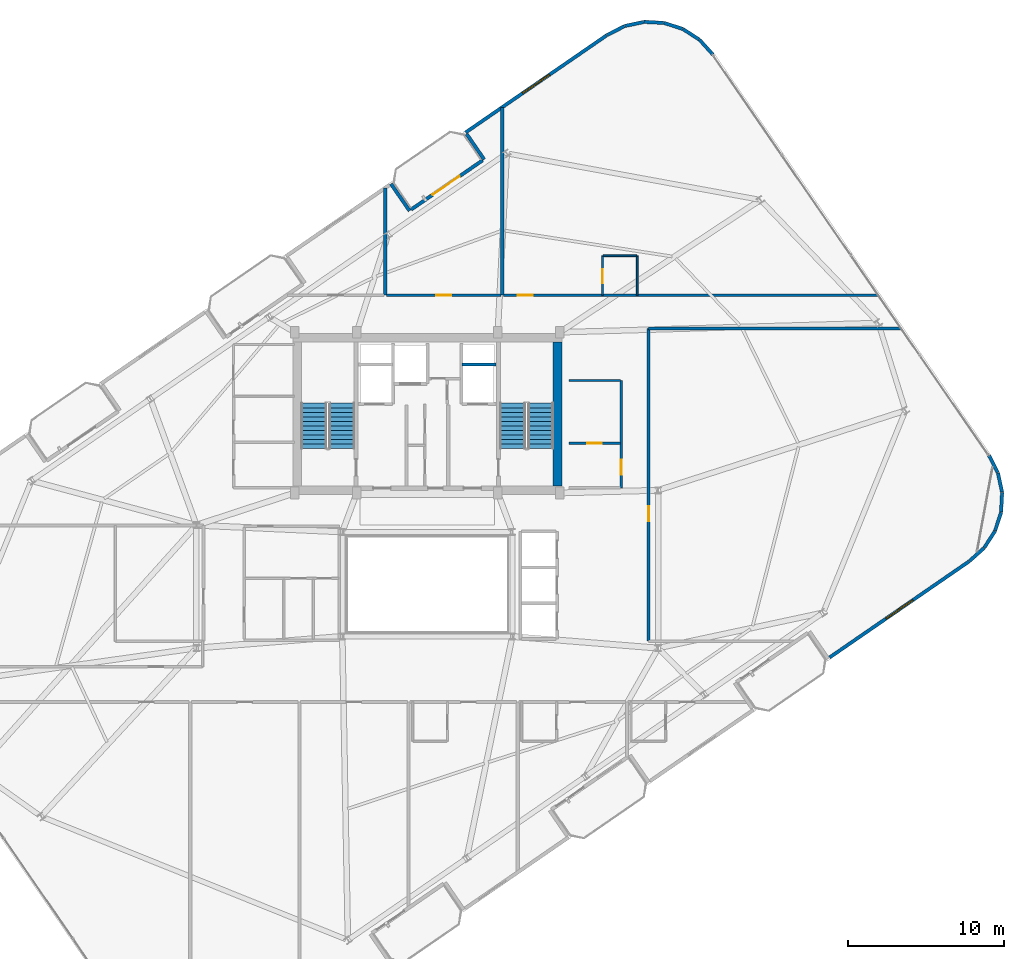
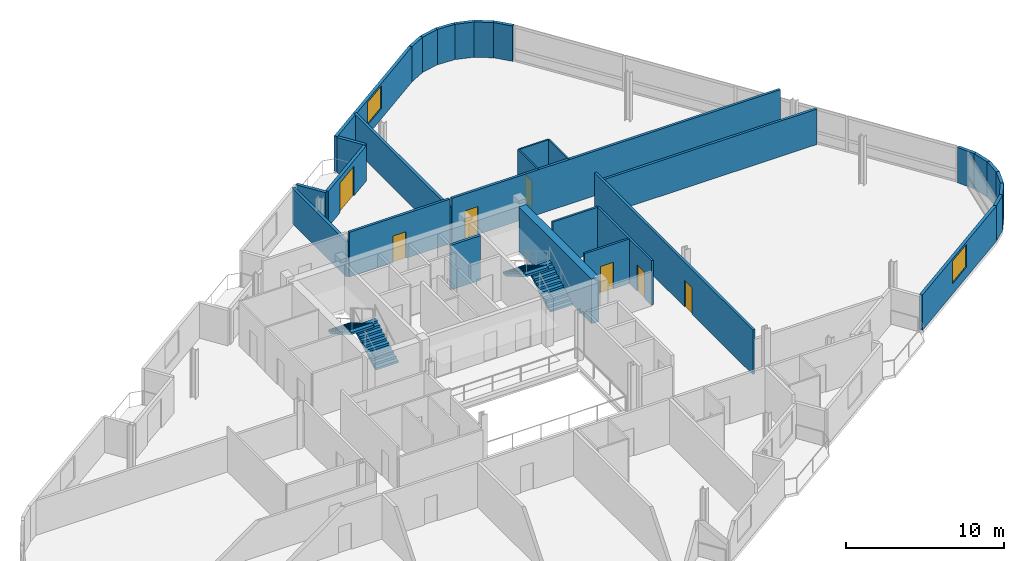
# One storey, part 19 of 23: 31 walls, 7 doors, 4 stair flights, 2 windows, 9 openings, 2 elements without a shape of their own.
"""IFC4 building model written with IfcOpenShell, lengths in metres."""

import ifcopenshell
import ifcopenshell.guid

model = None  # the IFC model being written
_history = None  # IfcOwnerHistory: only IFC2X3 demands one
_inside = {}  # id of a spatial element -> (the spatial element, [elements in it])
_under = {}  # id of a project, library or spatial element -> (it, [spatial elements below it])
_declared = {}  # id of a project -> (the project, [libraries it declares])
_typed = {}  # id of a type object -> (the type object, [elements of that type])
_made_of = {}  # id of a material, layer set ... -> (it, [elements and type objects made of it])


def new_model(schema):
    """Start an empty IFC model of exactly this schema.

    Asked for "IFC4X3", IfcOpenShell would pick the latest addendum, in which some entities
    have other attributes; the version numbers below select the first issue.
    IFC2X3 requires an IfcOwnerHistory on every rooted entity: one is made here for all.
    """
    global model, _history
    if schema == "IFC4X3":
        model = ifcopenshell.file(schema_version=(4, 3, 0, 0))
    else:
        model = ifcopenshell.file(schema=schema)
    _inside.clear()
    _under.clear()
    _declared.clear()
    _typed.clear()
    _made_of.clear()
    _history = None
    if model.schema == "IFC2X3":
        org = make("IfcOrganization", Name="unknown")
        user = make(
            "IfcPersonAndOrganization",
            ThePerson=make("IfcPerson", FamilyName="unknown"),
            TheOrganization=org,
        )
        app = make(
            "IfcApplication",
            ApplicationDeveloper=org,
            Version="unknown",
            ApplicationFullName="unknown",
            ApplicationIdentifier="unknown",
        )
        _history = make(
            "IfcOwnerHistory",
            OwningUser=user,
            OwningApplication=app,
            ChangeAction="ADDED",
            CreationDate=0,
        )
    return model


def make(cls, **values):
    """One entity of the class cls with the attributes given. An attribute that is None is left unset."""
    return model.create_entity(
        cls, **{name: value for name, value in values.items() if value is not None}
    )


def rooted(cls, **values):
    """An entity with a GlobalId (a new one), such as an element, a storey or a relation."""
    return make(cls, GlobalId=ifcopenshell.guid.new(), OwnerHistory=_history, **values)


def si_unit(unit_type, name, prefix=None):
    """IfcSIUnit, for example si_unit("LENGTHUNIT", "METRE", prefix="MILLI")."""
    return make("IfcSIUnit", UnitType=unit_type, Prefix=prefix, Name=name)


def assignment(units):
    """IfcUnitAssignment: the units of a project."""
    return None if units is None else make("IfcUnitAssignment", Units=units)


def point(xyz):
    """IfcCartesianPoint."""
    return None if xyz is None else make("IfcCartesianPoint", Coordinates=xyz)


def direction(xyz):
    """IfcDirection."""
    return None if xyz is None else make("IfcDirection", DirectionRatios=xyz)


def frame(location, z_axis=None, x_axis=None):
    """IfcAxis2Placement3D, a coordinate frame: its origin and axes. An axis left out is left unset."""
    return make(
        "IfcAxis2Placement3D",
        Location=point(location),
        Axis=direction(z_axis),
        RefDirection=direction(x_axis),
    )


def frame_2d(location, x_axis=None):
    """IfcAxis2Placement2D, a coordinate frame in the plane: its origin and x axis."""
    return make(
        "IfcAxis2Placement2D", Location=point(location), RefDirection=direction(x_axis)
    )


def origin():
    """The frame at (0, 0, 0) with its axes left unset."""
    return frame((0.0, 0.0, 0.0))


def place(relative_to, where):
    """IfcLocalPlacement: puts the frame where relative to a parent placement (None: the world)."""
    return make(
        "IfcLocalPlacement", PlacementRelTo=relative_to, RelativePlacement=where
    )


def context(
    kind, dimensions, precision=None, world=None, true_north=None, identifier=None
):
    """IfcGeometricRepresentationContext, for example the 3D "Model" context."""
    return make(
        "IfcGeometricRepresentationContext",
        ContextIdentifier=identifier,
        ContextType=kind,
        CoordinateSpaceDimension=dimensions,
        Precision=precision,
        WorldCoordinateSystem=world,
        TrueNorth=true_north,
    )


def subcontext(parent, identifier, kind, view, scale=None):
    """IfcGeometricRepresentationSubContext, for example "Body" below "Model"."""
    return make(
        "IfcGeometricRepresentationSubContext",
        ContextIdentifier=identifier,
        ContextType=kind,
        ParentContext=parent,
        TargetScale=scale,
        TargetView=view,
    )


def project(units=None, contexts=None):
    """IfcProject with its units and contexts."""
    return rooted(
        "IfcProject",
        Name="project",
        RepresentationContexts=contexts,
        UnitsInContext=assignment(units),
    )


def spatial(cls, under=None, at=None, **own):
    """A site, building, storey or space (cls), placed at a placement, below another one or the project."""
    s = rooted(cls, ObjectPlacement=at, **own)
    if under is not None:
        _under.setdefault(under.id(), (under, []))[1].append(s)
    return s


def polyline(points):
    """IfcPolyline through the points."""
    return make("IfcPolyline", Points=[point(p) for p in points])


def profile(cls, at=None, kind="AREA", **sizes):
    """A parametric profile (cls). Its sizes go by their IFC names, for example OverallWidth=200.0."""
    return make(cls, ProfileType=kind, Position=at, **sizes)


def rectangle(**sizes):
    """IfcRectangleProfileDef."""
    return profile("IfcRectangleProfileDef", **sizes)


def outline(outer, holes=None, kind="AREA"):
    """IfcArbitraryClosedProfileDef: a profile drawn as a closed curve; with holes, ...WithVoids."""
    if holes is None:
        return make("IfcArbitraryClosedProfileDef", ProfileType=kind, OuterCurve=outer)
    return make(
        "IfcArbitraryProfileDefWithVoids",
        ProfileType=kind,
        OuterCurve=outer,
        InnerCurves=holes,
    )


def extrude(swept, where, along, depth):
    """IfcExtrudedAreaSolid: the profile swept, set in the frame where, extruded along a direction by depth."""
    return make(
        "IfcExtrudedAreaSolid",
        SweptArea=swept,
        Position=where,
        ExtrudedDirection=direction(along),
        Depth=depth,
    )


def shape(context_of_items, identifier, shape_type, items):
    """IfcShapeRepresentation: the items that make up one representation, for example the "Body"."""
    return make(
        "IfcShapeRepresentation",
        ContextOfItems=context_of_items,
        RepresentationIdentifier=identifier,
        RepresentationType=shape_type,
        Items=items,
    )


def material(Name=None, Category=None):
    """IfcMaterial."""
    return make("IfcMaterial", Name=Name, Category=Category)


def layer(
    of_material, thickness, ventilated=None, Name=None, Category=None, Priority=None
):
    """IfcMaterialLayer: one layer of a wall or slab, of a material (None: an air gap)."""
    return make(
        "IfcMaterialLayer",
        Material=of_material,
        LayerThickness=thickness,
        IsVentilated=ventilated,
        Name=Name,
        Category=Category,
        Priority=Priority,
    )


def layer_set(layers, Name=None):
    """IfcMaterialLayerSet."""
    return make("IfcMaterialLayerSet", MaterialLayers=layers, LayerSetName=Name)


def made_of(thing, what):
    """Note that an element or type object is made of a material, layer set ...; save() writes the relation."""
    if what is not None:
        _made_of.setdefault(what.id(), (what, []))[1].append(thing)
    return thing


def type_object(cls, material=None, **own):
    """A type object (cls), such as IfcWallType, which elements share."""
    return made_of(rooted(cls, **own), material)


def element(
    cls,
    number,
    at=None,
    inside=None,
    cuts=None,
    type_object=None,
    material=None,
    context=None,
    identifier="Body",
    shape_type=None,
    held_by="IfcProductDefinitionShape",
    body=None,
    shapes=None,
    **own,
):
    """One element of the class cls, such as IfcWall. Its Tag is "e" and its number.

    at: its placement. inside: the storey or other place that contains it. cuts: it is an
    opening in that element (IfcRelVoidsElement). A single representation is given by context,
    identifier, shape_type and body (its items); several are given by shapes. held_by: the class
    of the entity that holds the representations. save() writes the other relations.
    """
    e = rooted(cls, Tag="e%d" % number, ObjectPlacement=at, **own)
    if body is not None:
        shapes = [shape(context, identifier, shape_type, body)]
    if shapes is not None:
        e.Representation = make(held_by, Representations=shapes)
    if inside is not None:
        _inside.setdefault(inside.id(), (inside, []))[1].append(e)
    if cuts is not None:
        rooted(
            "IfcRelVoidsElement", RelatingBuildingElement=cuts, RelatedOpeningElement=e
        )
    if type_object is not None:
        _typed.setdefault(type_object.id(), (type_object, []))[1].append(e)
    return made_of(e, material)


def fill(opening, filler):
    """IfcRelFillsElement: the door or window that sits in an opening."""
    return rooted(
        "IfcRelFillsElement",
        RelatingOpeningElement=opening,
        RelatedBuildingElement=filler,
    )


def aggregate(whole, parts):
    """IfcRelAggregates: a whole, such as a stair, and the parts it consists of."""
    return rooted("IfcRelAggregates", RelatingObject=whole, RelatedObjects=parts)


def save(model, path):
    """Write the relations noted so far, then the file.

    IfcRelAggregates (storeys below a building ...), IfcRelContainedInSpatialStructure (elements
    in a storey), IfcRelDefinesByType, IfcRelAssociatesMaterial and IfcRelDeclares: one each for
    every whole, place, type object, material and project.
    """
    for whole, parts in _under.values():
        aggregate(whole, parts)
    for where, things in _inside.values():
        rooted(
            "IfcRelContainedInSpatialStructure",
            RelatedElements=things,
            RelatingStructure=where,
        )
    for kind, things in _typed.values():
        rooted("IfcRelDefinesByType", RelatedObjects=things, RelatingType=kind)
    for what, things in _made_of.values():
        rooted("IfcRelAssociatesMaterial", RelatedObjects=things, RelatingMaterial=what)
    for by, libraries in _declared.values():
        rooted("IfcRelDeclares", RelatingContext=by, RelatedDefinitions=libraries)
    model.write(path)


model = new_model("IFC4")

# Units and contexts
model_context = context("Model", 3, precision=1e-05, world=origin(), true_north=direction((0.0, 1.0)))
body_context = subcontext(model_context, "Body", "Model", "MODEL_VIEW")
ifc_project = project(units=[si_unit("LENGTHUNIT", "METRE"), si_unit("AREAUNIT", "SQUARE_METRE"), si_unit("VOLUMEUNIT", "CUBIC_METRE"), si_unit("PLANEANGLEUNIT", "RADIAN"), si_unit("MASSUNIT", "GRAM", prefix="KILO")], contexts=[model_context])

# Site, building, storey
site_placement = place(None, origin())
site = spatial("IfcSite", under=ifc_project, at=site_placement, CompositionType="ELEMENT")
building_placement = place(site_placement, origin())
building = spatial("IfcBuilding", under=site, at=building_placement, Name="Varnelok Gate Tower", CompositionType="ELEMENT")
storey_placement = place(building_placement, frame((0.0, 0.0, 258.199951171875)))
storey = spatial("IfcBuildingStorey", under=building, at=storey_placement, Name="L66", CompositionType="ELEMENT", Elevation=258.199951171875)

# Wall, opening, door
ifc_material_1 = material(Name="Concrete C45/55", Category="concrete")
ifc_layer_1 = layer(ifc_material_1, 0.219970703125)
ifc_layer_set_1 = layer_set([ifc_layer_1], Name="Concrete C45/55")
wall_type_1 = type_object("IfcWallType", Name="EW-BALC-220", PredefinedType="SOLIDWALL", material=ifc_layer_set_1)
wall_1_placement = place(storey_placement, frame((38.15625, 46.91162109375, 0.0), z_axis=(0.0, 0.0, 1.0), x_axis=(0.823527178548, 0.567276816195, 0.0)))
wall_1 = element("IfcWall", 1, at=wall_1_placement, inside=storey, type_object=wall_type_1, Name="L66 North Terrace Envelope Wall 6", PredefinedType="SOLIDWALL", context=body_context, shape_type="SweptSolid", body=[
    extrude(rectangle(XDim=5.56689453125, YDim=0.219970703125, at=frame_2d((2.783447265625, 0.0))), origin(), (0.0, 0.0, 1.0), 2.72998046875),
])
opening_1_placement = place(wall_1_placement, frame((1.68017578125, 0.0, 0.0)))
opening_1 = element("IfcOpeningElement", 2, at=opening_1_placement, cuts=wall_1, Name="Opening BD-2", PredefinedType="OPENING", context=body_context, shape_type="SweptSolid", body=[
    extrude(rectangle(XDim=2.10009765625, YDim=2.300048828125, at=frame_2d((1.050048828125, 1.14990234375))), frame((0.0, 0.119873046875, 0.0), z_axis=(0.0, -1.0, 0.0), x_axis=(1.0, 0.0, 0.0)), (0.0, 0.0, 1.0), 0.239990234375),
])
ifc_material_2 = material(Name="Anodized Aluminum Alloy 6063-T6", Category="aluminium")
door_type_1 = type_object("IfcDoorType", Name="DR-EXT-SLID2100", OperationType="SLIDING_TO_LEFT", PredefinedType="DOOR", material=ifc_material_2)
door_1_placement = place(opening_1_placement, origin())
door_1 = element("IfcDoor", 3, at=door_1_placement, inside=storey, type_object=door_type_1, Name="L66 North Balcony Glazed Door 6", OperationType="SLIDING_TO_LEFT", OverallHeight=2.300048828125, OverallWidth=2.10009765625, PredefinedType="DOOR", context=body_context, shape_type="SweptSolid", body=[
    extrude(rectangle(XDim=2.10009765625, YDim=2.300048828125, at=frame_2d((1.050048828125, 1.14990234375))), frame((0.0, 0.02490234375, 0.0), z_axis=(0.0, -1.0, 0.0), x_axis=(1.0, 0.0, 0.0)), (0.0, 0.0, 1.0), 0.050048828125),
])
fill(opening_1, door_1)

# Wall, opening, window
wall_2_placement = place(storey_placement, frame((64.9921875, 18.197998046875, 0.0), z_axis=(0.0, 0.0, 1.0), x_axis=(0.823538117322, 0.56726093583, 0.0)))
wall_2 = element("IfcWall", 4, at=wall_2_placement, inside=storey, type_object=wall_type_1, Name="L66 Perimeter Facade Closure Wall 16", PredefinedType="SOLIDWALL", context=body_context, shape_type="SweptSolid", body=[
    extrude(rectangle(XDim=10.880126953125, YDim=0.219970703125, at=frame_2d((5.43994140625, 0.0))), origin(), (0.0, 0.0, 1.0), 2.72998046875),
])
opening_2_placement = place(wall_2_placement, frame((4.39013671875, 0.0, 0.800048828125)))
opening_2 = element("IfcOpeningElement", 5, at=opening_2_placement, cuts=wall_2, Name="Opening WN4", PredefinedType="OPENING", context=body_context, shape_type="SweptSolid", body=[
    extrude(rectangle(XDim=2.10009765625, YDim=1.75, at=frame_2d((1.050048828125, 0.875))), frame((0.0, 0.119873046875, 0.0), z_axis=(0.0, -1.0, 0.0), x_axis=(1.0, 0.0, 0.0)), (0.0, 0.0, 1.0), 0.239990234375),
])
ifc_material_3 = material(Name="Low-E Laminated Double Glazing IGU", Category="glass")
window_type = type_object("IfcWindowType", Name="WN-SUI-2100", PartitioningType="SINGLE_PANEL", PredefinedType="WINDOW", material=ifc_material_3)
window_1_placement = place(opening_2_placement, origin())
window_1 = element("IfcWindow", 6, at=window_1_placement, inside=storey, type_object=window_type, Name="L66 Perimeter Vision Window 16", OverallHeight=1.75, OverallWidth=2.10009765625, PartitioningType="SINGLE_PANEL", PredefinedType="WINDOW", context=body_context, shape_type="SweptSolid", body=[
    extrude(rectangle(XDim=2.10009765625, YDim=1.75, at=frame_2d((1.050048828125, 0.875))), frame((0.0, 0.030029296875, 0.0), z_axis=(0.0, -1.0, 0.0), x_axis=(1.0, 0.0, 0.0)), (0.0, 0.0, 1.0), 0.06005859375),
])
fill(opening_2, window_1)

# Walls
wall_3_placement = place(storey_placement, frame((73.970947265625, 24.38671875, 0.0), z_axis=(0.0, 0.0, 1.0), x_axis=(0.742501517089, 0.669844382764, 0.0)))
element("IfcWall", 7, at=wall_3_placement, inside=storey, type_object=wall_type_1, Name="L66 Perimeter Facade Closure Wall 17", PredefinedType="SOLIDWALL", context=body_context, shape_type="SweptSolid", body=[
    extrude(rectangle(XDim=1.256591796875, YDim=0.219970703125, at=frame_2d((0.62841796875, 0.0))), origin(), (0.0, 0.0, 1.0), 2.72998046875),
])
wall_4_placement = place(storey_placement, frame((74.91748046875, 25.24951171875, 0.0), z_axis=(0.0, 0.0, 1.0), x_axis=(0.543778157277, 0.839229000731, 0.0)))
element("IfcWall", 8, at=wall_4_placement, inside=storey, type_object=wall_type_1, Name="L66 Perimeter Facade Closure Wall 18", PredefinedType="SOLIDWALL", context=body_context, shape_type="SweptSolid", body=[
    extrude(rectangle(XDim=1.24853515625, YDim=0.219970703125, at=frame_2d((0.624267578125, 0.0))), origin(), (0.0, 0.0, 1.0), 2.72998046875),
])
for number, where, z_axis, x_axis, name in (
    (9, (75.604248046875, 26.321044921875, 0.0), (0.0, 0.0, 1.0), (0.307945220076, 0.951404089455, 0.0), "L66 Perimeter Facade Closure Wall 19"),
    (10, (75.989990234375, 27.533935546875, 0.0), (0.0, 0.0, 1.0), (0.05141975041, 0.998677129641, 0.0), "L66 Perimeter Facade Closure Wall 20"),
    (11, (76.048828125, 28.805419921875, 0.0), (0.0, 0.0, 1.0), (-0.208808017511, 0.977956651301, 0.0), "L66 Perimeter Facade Closure Wall 21"),
    (12, (75.776611328125, 30.048828125, 0.0), (0.0, 0.0, 1.0), (-0.454938817534, 0.890522696118, 0.0), "L66 Perimeter Facade Closure Wall 22"),
):
    element("IfcWall", number, at=place(storey_placement, frame(where, z_axis=z_axis, x_axis=x_axis)), inside=storey, type_object=wall_type_1, Name=name, PredefinedType="SOLIDWALL", context=body_context, shape_type="SweptSolid", body=[
        extrude(rectangle(XDim=1.248779296875, YDim=0.219970703125, at=frame_2d((0.62451171875, 0.0))), origin(), (0.0, 0.0, 1.0), 2.72998046875),
    ])
wall_5_placement = place(storey_placement, frame((57.509765625, 56.85498046875, 0.0), z_axis=(0.0, 0.0, 1.0), x_axis=(-0.669853727156, 0.742493086982, 0.0)))
element("IfcWall", 13, at=wall_5_placement, inside=storey, type_object=wall_type_1, Name="L66 Perimeter Facade Closure Wall 23", PredefinedType="SOLIDWALL", context=body_context, shape_type="SweptSolid", body=[
    extrude(rectangle(XDim=1.27392578125, YDim=0.219970703125, at=frame_2d((0.636962890625, 0.0))), origin(), (0.0, 0.0, 1.0), 2.72998046875),
])
wall_6_placement = place(storey_placement, frame((56.635498046875, 57.814208984375, 0.0), z_axis=(0.0, 0.0, 1.0), x_axis=(-0.839229000731, 0.543778157277, 0.0)))
element("IfcWall", 14, at=wall_6_placement, inside=storey, type_object=wall_type_1, Name="L66 Perimeter Facade Closure Wall 24", PredefinedType="SOLIDWALL", context=body_context, shape_type="SweptSolid", body=[
    extrude(rectangle(XDim=1.24853515625, YDim=0.219970703125, at=frame_2d((0.624267578125, 0.0))), origin(), (0.0, 0.0, 1.0), 2.72998046875),
])
for number, where, z_axis, x_axis, name in (
    (15, (55.56396484375, 58.5009765625, 0.0), (0.0, 0.0, 1.0), (-0.951404089455, 0.307945220076, 0.0), "L66 Perimeter Facade Closure Wall 25"),
    (16, (54.35107421875, 58.88671875, 0.0), (0.0, 0.0, 1.0), (-0.998687150602, 0.051224752047, 0.0), "L66 Perimeter Facade Closure Wall 26"),
    (17, (53.07958984375, 58.945556640625, 0.0), (0.0, 0.0, 1.0), (-0.977956651301, -0.208808017511, 0.0), "L66 Perimeter Facade Closure Wall 27"),
):
    element("IfcWall", number, at=place(storey_placement, frame(where, z_axis=z_axis, x_axis=x_axis)), inside=storey, type_object=wall_type_1, Name=name, PredefinedType="SOLIDWALL", context=body_context, shape_type="SweptSolid", body=[
        extrude(rectangle(XDim=1.248779296875, YDim=0.219970703125, at=frame_2d((0.62451171875, 0.0))), origin(), (0.0, 0.0, 1.0), 2.72998046875),
    ])
wall_7_placement = place(storey_placement, frame((51.836181640625, 58.67333984375, 0.0), z_axis=(0.0, 0.0, 1.0), x_axis=(-0.890586847538, -0.454813222095, 0.0)))
element("IfcWall", 18, at=wall_7_placement, inside=storey, type_object=wall_type_1, Name="L66 Perimeter Facade Closure Wall 28", PredefinedType="SOLIDWALL", context=body_context, shape_type="SweptSolid", body=[
    extrude(rectangle(XDim=1.256591796875, YDim=0.219970703125, at=frame_2d((0.62841796875, 0.0))), origin(), (0.0, 0.0, 1.0), 2.72998046875),
])

# Wall, opening, window
wall_8_placement = place(storey_placement, frame((50.696533203125, 58.08740234375, 0.0), z_axis=(0.0, 0.0, 1.0), x_axis=(-0.823539455464, -0.567258993137, 0.0)))
wall_8 = element("IfcWall", 19, at=wall_8_placement, inside=storey, type_object=wall_type_1, Name="L66 Perimeter Facade Closure Wall 29", PredefinedType="SOLIDWALL", context=body_context, shape_type="SweptSolid", body=[
    extrude(rectangle(XDim=10.97998046875, YDim=0.219970703125, at=frame_2d((5.489990234375, 0.0))), origin(), (0.0, 0.0, 1.0), 2.72998046875),
])
opening_3_placement = place(wall_8_placement, frame((4.440185546875, 0.0, 0.800048828125)))
opening_3 = element("IfcOpeningElement", 20, at=opening_3_placement, cuts=wall_8, Name="Opening WN4", PredefinedType="OPENING", context=body_context, shape_type="SweptSolid", body=[
    extrude(rectangle(XDim=2.10009765625, YDim=1.75, at=frame_2d((1.050048828125, 0.875))), frame((0.0, 0.119873046875, 0.0), z_axis=(0.0, -1.0, 0.0), x_axis=(1.0, 0.0, 0.0)), (0.0, 0.0, 1.0), 0.239990234375),
])
window_2_placement = place(opening_3_placement, origin())
window_2 = element("IfcWindow", 21, at=window_2_placement, inside=storey, type_object=window_type, Name="L66 Perimeter Vision Window 29", OverallHeight=1.75, OverallWidth=2.10009765625, PartitioningType="SINGLE_PANEL", PredefinedType="WINDOW", context=body_context, shape_type="SweptSolid", body=[
    extrude(rectangle(XDim=2.10009765625, YDim=1.75, at=frame_2d((1.050048828125, 0.875))), frame((0.0, 0.030029296875, 0.0), z_axis=(0.0, -1.0, 0.0), x_axis=(1.0, 0.0, 0.0)), (0.0, 0.0, 1.0), 0.06005859375),
])
fill(opening_3, window_2)

# Walls
wall_9_placement = place(storey_placement, frame((41.724853515625, 51.755859375, 0.0), z_axis=(0.0, 0.0, 1.0), x_axis=(0.567273565974, -0.823529417415, 0.0)))
element("IfcWall", 22, at=wall_9_placement, inside=storey, type_object=wall_type_1, Name="L66 Perimeter Facade Closure Wall 30", PredefinedType="SOLIDWALL", context=body_context, shape_type="SweptSolid", body=[
    extrude(rectangle(XDim=1.97509765625, YDim=0.219970703125, at=frame_2d((0.987548828125, 0.0))), origin(), (0.0, 0.0, 1.0), 2.72998046875),
])
wall_10_placement = place(storey_placement, frame((38.06298828125, 46.835205078125, 0.0), z_axis=(0.0, 0.0, 1.0), x_axis=(-0.567219383419, 0.823566737474, 0.0)))
element("IfcWall", 23, at=wall_10_placement, inside=storey, type_object=wall_type_1, Name="L66 Perimeter Facade Closure Wall 31", PredefinedType="SOLIDWALL", context=body_context, shape_type="SweptSolid", body=[
    extrude(rectangle(XDim=2.10009765625, YDim=0.219970703125, at=frame_2d((1.050048828125, 0.0))), origin(), (0.0, 0.0, 1.0), 2.72998046875),
])

# Wall, opening, door
ifc_material_4 = material(Name="Gypsum Plasterboard Acoustic Partition", Category="gypsum")
ifc_layer_2 = layer(ifc_material_4, 0.179931640625)
ifc_layer_set_2 = layer_set([ifc_layer_2], Name="Gypsum Plasterboard Acoustic Partition")
wall_type_2 = type_object("IfcWallType", Name="PW-CORR-180", PredefinedType="PARTITIONING", material=ifc_layer_set_2)
wall_11_placement = place(storey_placement, frame((36.580078125, 41.429931640625, 0.0), z_axis=(0.0, 0.0, 1.0), x_axis=(1.0, 0.0, 0.0)))
wall_11 = element("IfcWall", 24, at=wall_11_placement, inside=storey, type_object=wall_type_2, Name="Interior Partition", PredefinedType="PARTITIONING", context=body_context, shape_type="SweptSolid", body=[
    extrude(rectangle(XDim=7.33984375, YDim=0.179931640625, at=frame_2d((3.669921875, 0.0))), origin(), (0.0, 0.0, 1.0), 3.449951171875),
])
opening_4_placement = place(wall_11_placement, frame((3.195068359375, 0.0, 0.0)))
opening_4 = element("IfcOpeningElement", 25, at=opening_4_placement, cuts=wall_11, Name="Opening D-I2", PredefinedType="OPENING", context=body_context, shape_type="SweptSolid", body=[
    extrude(rectangle(XDim=0.949951171875, YDim=2.050048828125, at=frame_2d((0.47509765625, 1.02490234375))), frame((0.0, 0.099853515625, 0.0), z_axis=(0.0, -1.0, 0.0), x_axis=(1.0, 0.0, 0.0)), (0.0, 0.0, 1.0), 0.199951171875),
])
ifc_material_5 = material(Name="Engineered Hardwood Timber", Category="wood")
door_type_2 = type_object("IfcDoorType", Name="DR-INT-950", OperationType="NOTDEFINED", PredefinedType="DOOR", material=ifc_material_5)
door_2_placement = place(opening_4_placement, origin())
door_2 = element("IfcDoor", 26, at=door_2_placement, inside=storey, type_object=door_type_2, Name="L66 Sky Library Door", OperationType="SINGLE_SWING_LEFT", OverallHeight=2.050048828125, OverallWidth=0.949951171875, PredefinedType="DOOR", context=body_context, shape_type="SweptSolid", body=[
    extrude(rectangle(XDim=0.949951171875, YDim=2.050048828125, at=frame_2d((0.47509765625, 1.02490234375))), frame((0.0, 0.02490234375, 0.0), z_axis=(0.0, -1.0, 0.0), x_axis=(1.0, 0.0, 0.0)), (0.0, 0.0, 1.0), 0.050048828125),
])
fill(opening_4, door_2)

wall_12_placement = place(storey_placement, frame((44.080078125, 41.429931640625, 0.0), z_axis=(0.0, 0.0, 1.0), x_axis=(1.0, 0.0, 0.0)))
wall_12 = element("IfcWall", 27, at=wall_12_placement, inside=storey, type_object=wall_type_2, Name="Interior Partition", PredefinedType="PARTITIONING", context=body_context, shape_type="SweptSolid", body=[
    extrude(rectangle(XDim=23.991943359375, YDim=0.179931640625, at=frame_2d((11.99609375, 0.0))), origin(), (0.0, 0.0, 1.0), 3.449951171875),
])
opening_5_placement = place(wall_12_placement, frame((0.931396484375, 0.0, 0.0)))
opening_5 = element("IfcOpeningElement", 28, at=opening_5_placement, cuts=wall_12, Name="Opening D-HT", PredefinedType="OPENING", context=body_context, shape_type="SweptSolid", body=[
    extrude(rectangle(XDim=0.949951171875, YDim=2.14990234375, at=frame_2d((0.47509765625, 1.074951171875))), frame((0.0, 0.099853515625, 0.0), z_axis=(0.0, -1.0, 0.0), x_axis=(1.0, 0.0, 0.0)), (0.0, 0.0, 1.0), 0.199951171875),
])
door_type_3 = type_object("IfcDoorType", Name="DR-HTL-950", OperationType="NOTDEFINED", PredefinedType="DOOR", material=ifc_material_5)
door_3_placement = place(opening_5_placement, origin())
door_3 = element("IfcDoor", 29, at=door_3_placement, inside=storey, type_object=door_type_3, Name="L66 Guest Room 09 Entrance Door", OperationType="SINGLE_SWING_RIGHT", OverallHeight=2.14990234375, OverallWidth=0.949951171875, PredefinedType="DOOR", context=body_context, shape_type="SweptSolid", body=[
    extrude(rectangle(XDim=0.949951171875, YDim=2.14990234375, at=frame_2d((0.47509765625, 1.074951171875))), frame((0.0, 0.02490234375, 0.0), z_axis=(0.0, -1.0, 0.0), x_axis=(1.0, 0.0, 0.0)), (0.0, 0.0, 1.0), 0.050048828125),
])
fill(opening_5, door_3)

wall_13_placement = place(storey_placement, frame((53.389892578125, 19.239990234375, 0.0), z_axis=(0.0, 0.0, 1.0), x_axis=(0.0, 1.0, 0.0)))
wall_13 = element("IfcWall", 30, at=wall_13_placement, inside=storey, type_object=wall_type_2, Name="Interior Partition", PredefinedType="PARTITIONING", context=body_context, shape_type="SweptSolid", body=[
    extrude(rectangle(XDim=20.06005859375, YDim=0.179931640625, at=frame_2d((10.030029296875, 0.0))), origin(), (0.0, 0.0, 1.0), 3.449951171875),
])
opening_6_placement = place(wall_13_placement, frame((7.699951171875, 0.0, 0.0)))
opening_6 = element("IfcOpeningElement", 31, at=opening_6_placement, cuts=wall_13, Name="Opening D-I2", PredefinedType="OPENING", context=body_context, shape_type="SweptSolid", body=[
    extrude(rectangle(XDim=0.949951171875, YDim=2.050048828125, at=frame_2d((0.47509765625, 1.02490234375))), frame((0.0, 0.099853515625, 0.0), z_axis=(0.0, -1.0, 0.0), x_axis=(1.0, 0.0, 0.0)), (0.0, 0.0, 1.0), 0.199951171875),
])
door_4_placement = place(opening_6_placement, origin())
door_4 = element("IfcDoor", 32, at=door_4_placement, inside=storey, type_object=door_type_2, Name="L66 East Club Door", OperationType="SINGLE_SWING_RIGHT", OverallHeight=2.050048828125, OverallWidth=0.949951171875, PredefinedType="DOOR", context=body_context, shape_type="SweptSolid", body=[
    extrude(rectangle(XDim=0.949951171875, YDim=2.050048828125, at=frame_2d((0.47509765625, 1.02490234375))), frame((0.0, 0.02490234375, 0.0), z_axis=(0.0, -1.0, 0.0), x_axis=(1.0, 0.0, 0.0)), (0.0, 0.0, 1.0), 0.050048828125),
])
fill(opening_6, door_4)

# Walls
wall_14_placement = place(storey_placement, frame((53.389892578125, 39.300048828125, 0.0), z_axis=(0.0, 0.0, 1.0), x_axis=(1.0, 0.0, 0.0)))
element("IfcWall", 33, at=wall_14_placement, inside=storey, type_object=wall_type_2, Name="Interior Partition", PredefinedType="PARTITIONING", context=body_context, shape_type="SweptSolid", body=[
    extrude(rectangle(XDim=16.149169921875, YDim=0.179931640625, at=frame_2d((8.07470703125, 0.0))), origin(), (0.0, 0.0, 1.0), 2.739013671875),
])
ifc_layer_3 = layer(ifc_material_4, 0.114990234375)
ifc_layer_set_3 = layer_set([ifc_layer_3], Name="Gypsum Plasterboard Acoustic Partition")
wall_type_3 = type_object("IfcWallType", Name="PW-ENS-125", PredefinedType="PARTITIONING", material=ifc_layer_set_3)
wall_15_placement = place(storey_placement, frame((50.469970703125, 43.949951171875, 0.0), z_axis=(0.0, 0.0, 1.0), x_axis=(1.0, 0.0, 0.0)))
element("IfcWall", 34, at=wall_15_placement, inside=storey, type_object=wall_type_3, Name="Interior Partition", PredefinedType="PARTITIONING", context=body_context, shape_type="SweptSolid", body=[
    extrude(rectangle(XDim=2.150146484375, YDim=0.114990234375, at=frame_2d((1.0751953125, 0.0))), origin(), (0.0, 0.0, 1.0), 3.449951171875),
])

# Wall, opening, door
wall_16_placement = place(storey_placement, frame((50.429931640625, 41.429931640625, 0.0), z_axis=(0.0, 0.0, 1.0), x_axis=(0.0, 1.0, 0.0)))
wall_16 = element("IfcWall", 35, at=wall_16_placement, inside=storey, type_object=wall_type_3, Name="Interior Partition", PredefinedType="PARTITIONING", context=body_context, shape_type="SweptSolid", body=[
    extrude(rectangle(XDim=2.52001953125, YDim=0.114990234375, at=frame_2d((1.260009765625, 0.0))), origin(), (0.0, 0.0, 1.0), 3.449951171875),
])
opening_7_placement = place(wall_16_placement, frame((0.760009765625, 0.0, 0.0)))
opening_7 = element("IfcOpeningElement", 36, at=opening_7_placement, cuts=wall_16, Name="Opening D-WC", PredefinedType="OPENING", context=body_context, shape_type="SweptSolid", body=[
    extrude(rectangle(XDim=0.89990234375, YDim=2.050048828125, at=frame_2d((0.449951171875, 1.02490234375))), frame((0.0, 0.0673828125, 0.0), z_axis=(0.0, -1.0, 0.0), x_axis=(1.0, 0.0, 0.0)), (0.0, 0.0, 1.0), 0.135009765625),
])
door_type_4 = type_object("IfcDoorType", Name="DR-BATH-900", OperationType="NOTDEFINED", PredefinedType="DOOR", material=ifc_material_5)
door_5_placement = place(opening_7_placement, origin())
door_5 = element("IfcDoor", 37, at=door_5_placement, inside=storey, type_object=door_type_4, Name="L66 North En-Suite 09 Door", OperationType="SINGLE_SWING_LEFT", OverallHeight=2.050048828125, OverallWidth=0.89990234375, PredefinedType="DOOR", context=body_context, shape_type="SweptSolid", body=[
    extrude(rectangle(XDim=0.89990234375, YDim=2.050048828125, at=frame_2d((0.449951171875, 1.02490234375))), frame((0.0, 0.02490234375, 0.0), z_axis=(0.0, -1.0, 0.0), x_axis=(1.0, 0.0, 0.0)), (0.0, 0.0, 1.0), 0.050048828125),
])
fill(opening_7, door_5)

# Wall
wall_17_placement = place(storey_placement, frame((52.659912109375, 41.429931640625, 0.0), z_axis=(0.0, 0.0, 1.0), x_axis=(0.0, 1.0, 0.0)))
element("IfcWall", 38, at=wall_17_placement, inside=storey, type_object=wall_type_3, Name="Interior Partition", PredefinedType="PARTITIONING", context=body_context, shape_type="SweptSolid", body=[
    extrude(rectangle(XDim=2.52001953125, YDim=0.114990234375, at=frame_2d((1.260009765625, 0.0))), origin(), (0.0, 0.0, 1.0), 3.449951171875),
])

# Wall, opening, door
ifc_layer_4 = layer(ifc_material_4, 0.14990234375)
ifc_layer_set_4 = layer_set([ifc_layer_4], Name="Gypsum Plasterboard Acoustic Partition")
wall_type_4 = type_object("IfcWallType", Name="PW-PART-150", PredefinedType="PARTITIONING", material=ifc_layer_set_4)
wall_18_placement = place(storey_placement, frame((48.300048828125, 31.929931640625, 0.0), z_axis=(0.0, 0.0, 1.0), x_axis=(1.0, 0.0, 0.0)))
wall_18 = element("IfcWall", 39, at=wall_18_placement, inside=storey, type_object=wall_type_4, Name="Interior Partition", PredefinedType="PARTITIONING", context=body_context, shape_type="SweptSolid", body=[
    extrude(rectangle(XDim=3.280029296875, YDim=0.14990234375, at=frame_2d((1.64013671875, 0.0))), origin(), (0.0, 0.0, 1.0), 3.449951171875),
])
opening_8_placement = place(wall_18_placement, frame((1.14990234375, 0.0, 0.0)))
opening_8 = element("IfcOpeningElement", 40, at=opening_8_placement, cuts=wall_18, Name="Opening D-I2", PredefinedType="OPENING", context=body_context, shape_type="SweptSolid", body=[
    extrude(rectangle(XDim=0.949951171875, YDim=2.050048828125, at=frame_2d((0.47509765625, 1.02490234375))), frame((0.0, 0.0849609375, 0.0), z_axis=(0.0, -1.0, 0.0), x_axis=(1.0, 0.0, 0.0)), (0.0, 0.0, 1.0), 0.169921875),
])
door_6_placement = place(opening_8_placement, origin())
door_6 = element("IfcDoor", 41, at=door_6_placement, inside=storey, type_object=door_type_2, Name="L66 Reclaimed Trunk Storage Door", OperationType="SINGLE_SWING_LEFT", OverallHeight=2.050048828125, OverallWidth=0.949951171875, PredefinedType="DOOR", context=body_context, shape_type="SweptSolid", body=[
    extrude(rectangle(XDim=0.949951171875, YDim=2.050048828125, at=frame_2d((0.47509765625, 1.02490234375))), frame((0.0, 0.02490234375, 0.0), z_axis=(0.0, -1.0, 0.0), x_axis=(1.0, 0.0, 0.0)), (0.0, 0.0, 1.0), 0.050048828125),
])
fill(opening_8, door_6)

# Wall
wall_19_placement = place(storey_placement, frame((48.300048828125, 35.9599609375, 0.0), z_axis=(0.0, 0.0, 1.0), x_axis=(1.0, 0.0, 0.0)))
element("IfcWall", 42, at=wall_19_placement, inside=storey, type_object=wall_type_4, Name="Interior Partition", PredefinedType="PARTITIONING", context=body_context, shape_type="SweptSolid", body=[
    extrude(rectangle(XDim=3.280029296875, YDim=0.14990234375, at=frame_2d((1.64013671875, 0.0))), origin(), (0.0, 0.0, 1.0), 3.449951171875),
])

# Wall, opening, door
wall_20_placement = place(storey_placement, frame((51.639892578125, 29.080078125, 0.0), z_axis=(0.0, 0.0, 1.0), x_axis=(0.0, 1.0, 0.0)))
wall_20 = element("IfcWall", 43, at=wall_20_placement, inside=storey, type_object=wall_type_4, Name="Interior Partition", PredefinedType="PARTITIONING", context=body_context, shape_type="SweptSolid", body=[
    extrude(rectangle(XDim=6.8798828125, YDim=0.14990234375, at=frame_2d((3.43994140625, 0.0))), origin(), (0.0, 0.0, 1.0), 3.449951171875),
])
opening_9_placement = place(wall_20_placement, frame((0.85009765625, 0.0, 0.0)))
opening_9 = element("IfcOpeningElement", 44, at=opening_9_placement, cuts=wall_20, Name="Opening D-I2", PredefinedType="OPENING", context=body_context, shape_type="SweptSolid", body=[
    extrude(rectangle(XDim=0.949951171875, YDim=2.050048828125, at=frame_2d((0.47509765625, 1.02490234375))), frame((0.0, 0.0849609375, 0.0), z_axis=(0.0, -1.0, 0.0), x_axis=(1.0, 0.0, 0.0)), (0.0, 0.0, 1.0), 0.169921875),
])
door_7_placement = place(opening_9_placement, origin())
door_7 = element("IfcDoor", 45, at=door_7_placement, inside=storey, type_object=door_type_2, Name="L66 Reclaimed Wine Storage Door", OperationType="SINGLE_SWING_RIGHT", OverallHeight=2.050048828125, OverallWidth=0.949951171875, PredefinedType="DOOR", context=body_context, shape_type="SweptSolid", body=[
    extrude(rectangle(XDim=0.949951171875, YDim=2.050048828125, at=frame_2d((0.47509765625, 1.02490234375))), frame((0.0, 0.02490234375, 0.0), z_axis=(0.0, -1.0, 0.0), x_axis=(1.0, 0.0, 0.0)), (0.0, 0.0, 1.0), 0.050048828125),
])
fill(opening_9, door_7)

# Walls
ifc_layer_5 = layer(ifc_material_4, 0.205078125)
ifc_layer_set_5 = layer_set([ifc_layer_5], Name="Gypsum Plasterboard Acoustic Partition")
wall_type_5 = type_object("IfcWallType", Name="PW-PARTY-200", PredefinedType="PARTITIONING", material=ifc_layer_set_5)
wall_21_placement = place(storey_placement, frame((36.5, 41.429931640625, 0.0), z_axis=(0.0, 0.0, 1.0), x_axis=(0.0, 1.0, 0.0)))
element("IfcWall", 46, at=wall_21_placement, inside=storey, type_object=wall_type_5, Name="L66 North Party Wall 1", PredefinedType="PARTITIONING", context=body_context, shape_type="SweptSolid", body=[
    extrude(rectangle(XDim=6.854248046875, YDim=0.205078125, at=frame_2d((3.42724609375, 0.0))), origin(), (0.0, 0.0, 1.0), 2.739013671875),
])
wall_22_placement = place(storey_placement, frame((44.0, 41.429931640625, 0.0), z_axis=(0.0, 0.0, 1.0), x_axis=(0.0, 1.0, 0.0)))
element("IfcWall", 47, at=wall_22_placement, inside=storey, type_object=wall_type_5, Name="L66 North Party Wall 2", PredefinedType="PARTITIONING", context=body_context, shape_type="SweptSolid", body=[
    extrude(rectangle(XDim=12.0205078125, YDim=0.205078125, at=frame_2d((6.01025390625, 0.0))), origin(), (0.0, 0.0, 1.0), 2.739013671875),
])
ifc_material_6 = material(Name="Concrete C35/45", Category="concrete")
ifc_layer_6 = layer(ifc_material_6, 0.199951171875)
ifc_layer_set_6 = layer_set([ifc_layer_6], Name="Concrete C35/45")
wall_type_6 = type_object("IfcWallType", Name="PW-SHAFT-200", PredefinedType="PARTITIONING", material=ifc_layer_set_6)
wall_23_placement = place(storey_placement, frame((41.419921875, 36.97998046875, 0.0), z_axis=(0.0, 0.0, 1.0), x_axis=(1.0, 0.0, 0.0)))
element("IfcWall", 48, at=wall_23_placement, inside=storey, type_object=wall_type_6, Name="L66 FF2 Shaft North Wall", PredefinedType="PARTITIONING", context=body_context, shape_type="SweptSolid", body=[
    extrude(rectangle(XDim=2.18017578125, YDim=0.199951171875, at=frame_2d((1.090087890625, 0.0))), origin(), (0.0, 0.0, 1.0), 3.449951171875),
])
ifc_material_7 = material(Name="Concrete C60/75", Category="concrete")
ifc_layer_7 = layer(ifc_material_7, 0.550048828125)
ifc_layer_set_7 = layer_set([ifc_layer_7], Name="Concrete C60/75")
wall_type_7 = type_object("IfcWallType", Name="SW-CORE-550", PredefinedType="SHEAR", material=ifc_layer_set_7)
wall_24_placement = place(storey_placement, frame((47.544921875, 29.199951171875, 0.0), z_axis=(0.0, 0.0, 1.0), x_axis=(0.0, 1.0, 0.0)))
element("IfcWall", 49, at=wall_24_placement, inside=storey, type_object=wall_type_7, Name="L66 Rear Core East Shear Wall", PredefinedType="SHEAR", context=body_context, shape_type="SweptSolid", body=[
    extrude(rectangle(XDim=9.219970703125, YDim=0.550048828125, at=frame_2d((4.60986328125, 0.0))), origin(), (0.0, 0.0, 1.0), 3.449951171875),
])

# Stair, stair flights
ifc_material_8 = material(Name="Concrete C50/60", Category="concrete")
stair_type = type_object("IfcStairType", Name="STR-CORE-1650", PredefinedType="HALF_TURN_STAIR", material=ifc_material_8)
stair_1_placement = place(storey_placement, origin())
stair_1 = element("IfcStair", 50, at=stair_1_placement, inside=storey, type_object=stair_type, Name="L66 Exit Stair ST-1", PredefinedType="HALF_TURN_STAIR")
stair_flight_type = type_object("IfcStairFlightType", Name="SFL-CORE-1650", PredefinedType="STRAIGHT", material=ifc_material_8)
stair_flight_1_placement = place(storey_placement, frame((33.72509765625, 31.60009765625, 0.0), z_axis=(0.0, 0.0, 1.0), x_axis=(0.0, 1.0, 0.0)))
stair_flight_1 = element("IfcStairFlight", 51, at=stair_flight_1_placement, type_object=stair_flight_type, Name="ST-1 flight 1", NumberOfRisers=11, NumberOfTreads=10, PredefinedType="STRAIGHT", RiserHeight=0.168181818, TreadLength=0.29, context=body_context, shape_type="SweptSolid", body=[
    extrude(outline(polyline([(0.0, 0.0), (0.0, 0.168212890625), (0.2900390625, 0.168212890625), (0.2900390625, 0.33642578125), (0.580078125, 0.33642578125), (0.580078125, 0.504638671875), (0.8701171875, 0.504638671875), (0.8701171875, 0.672607421875), (1.159912109375, 0.672607421875), (1.159912109375, 0.8408203125), (1.449951171875, 0.8408203125), (1.449951171875, 1.009033203125), (1.739990234375, 1.009033203125), (1.739990234375, 1.17724609375), (2.030029296875, 1.17724609375), (2.030029296875, 1.345458984375), (2.320068359375, 1.345458984375), (2.320068359375, 1.513671875), (2.610107421875, 1.513671875), (2.610107421875, 1.681884765625), (2.89990234375, 1.681884765625), (2.89990234375, 1.85009765625), (2.89990234375, 1.508544921875), (0.298828125, 0.0), (0.0, 0.0)])), frame((0.0, 0.824951171875, 0.0), z_axis=(0.0, -1.0, 0.0), x_axis=(1.0, 0.0, 0.0)), (0.0, 0.0, 1.0), 1.64990234375),
])
stair_flight_2_placement = place(storey_placement, frame((31.925048828125, 34.5, 1.85009765625), z_axis=(0.0, 0.0, 1.0), x_axis=(0.0, -1.0, 0.0)))
stair_flight_2 = element("IfcStairFlight", 52, at=stair_flight_2_placement, type_object=stair_flight_type, Name="ST-1 flight 2", NumberOfRisers=11, NumberOfTreads=10, PredefinedType="STRAIGHT", RiserHeight=0.168181818, TreadLength=0.29, context=body_context, shape_type="SweptSolid", body=[
    extrude(outline(polyline([(0.0, 0.0), (0.0, 0.168212890625), (0.2900390625, 0.168212890625), (0.2900390625, 0.33642578125), (0.580078125, 0.33642578125), (0.580078125, 0.504638671875), (0.8701171875, 0.504638671875), (0.8701171875, 0.672607421875), (1.159912109375, 0.672607421875), (1.159912109375, 0.8408203125), (1.449951171875, 0.8408203125), (1.449951171875, 1.009033203125), (1.739990234375, 1.009033203125), (1.739990234375, 1.17724609375), (2.030029296875, 1.17724609375), (2.030029296875, 1.345458984375), (2.320068359375, 1.345458984375), (2.320068359375, 1.513671875), (2.610107421875, 1.513671875), (2.610107421875, 1.681884765625), (2.89990234375, 1.681884765625), (2.89990234375, 1.85009765625), (2.89990234375, 1.508544921875), (0.298828125, 0.0), (0.0, 0.0)])), frame((0.0, 0.824951171875, 0.0), z_axis=(0.0, -1.0, 0.0), x_axis=(1.0, 0.0, 0.0)), (0.0, 0.0, 1.0), 1.64990234375),
])
aggregate(stair_1, [stair_flight_1, stair_flight_2])

stair_2_placement = place(storey_placement, origin())
stair_2 = element("IfcStair", 53, at=stair_2_placement, inside=storey, type_object=stair_type, Name="L66 Exit Stair ST-2", PredefinedType="HALF_TURN_STAIR")
stair_flight_3_placement = place(storey_placement, frame((46.47509765625, 31.60009765625, 0.0), z_axis=(0.0, 0.0, 1.0), x_axis=(0.0, 1.0, 0.0)))
stair_flight_3 = element("IfcStairFlight", 54, at=stair_flight_3_placement, type_object=stair_flight_type, Name="ST-2 flight 1", NumberOfRisers=11, NumberOfTreads=10, PredefinedType="STRAIGHT", RiserHeight=0.168181818, TreadLength=0.29, context=body_context, shape_type="SweptSolid", body=[
    extrude(outline(polyline([(0.0, 0.0), (0.0, 0.168212890625), (0.2900390625, 0.168212890625), (0.2900390625, 0.33642578125), (0.580078125, 0.33642578125), (0.580078125, 0.504638671875), (0.8701171875, 0.504638671875), (0.8701171875, 0.672607421875), (1.159912109375, 0.672607421875), (1.159912109375, 0.8408203125), (1.449951171875, 0.8408203125), (1.449951171875, 1.009033203125), (1.739990234375, 1.009033203125), (1.739990234375, 1.17724609375), (2.030029296875, 1.17724609375), (2.030029296875, 1.345458984375), (2.320068359375, 1.345458984375), (2.320068359375, 1.513671875), (2.610107421875, 1.513671875), (2.610107421875, 1.681884765625), (2.89990234375, 1.681884765625), (2.89990234375, 1.85009765625), (2.89990234375, 1.508544921875), (0.298828125, 0.0), (0.0, 0.0)])), frame((0.0, 0.824951171875, 0.0), z_axis=(0.0, -1.0, 0.0), x_axis=(1.0, 0.0, 0.0)), (0.0, 0.0, 1.0), 1.64990234375),
])
stair_flight_4_placement = place(storey_placement, frame((44.675048828125, 34.5, 1.85009765625), z_axis=(0.0, 0.0, 1.0), x_axis=(0.0, -1.0, 0.0)))
stair_flight_4 = element("IfcStairFlight", 55, at=stair_flight_4_placement, type_object=stair_flight_type, Name="ST-2 flight 2", NumberOfRisers=11, NumberOfTreads=10, PredefinedType="STRAIGHT", RiserHeight=0.168181818, TreadLength=0.29, context=body_context, shape_type="SweptSolid", body=[
    extrude(outline(polyline([(0.0, 0.0), (0.0, 0.168212890625), (0.2900390625, 0.168212890625), (0.2900390625, 0.33642578125), (0.580078125, 0.33642578125), (0.580078125, 0.504638671875), (0.8701171875, 0.504638671875), (0.8701171875, 0.672607421875), (1.159912109375, 0.672607421875), (1.159912109375, 0.8408203125), (1.449951171875, 0.8408203125), (1.449951171875, 1.009033203125), (1.739990234375, 1.009033203125), (1.739990234375, 1.17724609375), (2.030029296875, 1.17724609375), (2.030029296875, 1.345458984375), (2.320068359375, 1.345458984375), (2.320068359375, 1.513671875), (2.610107421875, 1.513671875), (2.610107421875, 1.681884765625), (2.89990234375, 1.681884765625), (2.89990234375, 1.85009765625), (2.89990234375, 1.508544921875), (0.298828125, 0.0), (0.0, 0.0)])), frame((0.0, 0.824951171875, 0.0), z_axis=(0.0, -1.0, 0.0), x_axis=(1.0, 0.0, 0.0)), (0.0, 0.0, 1.0), 1.64990234375),
])
aggregate(stair_2, [stair_flight_3, stair_flight_4])

save(model, "model.ifc")
